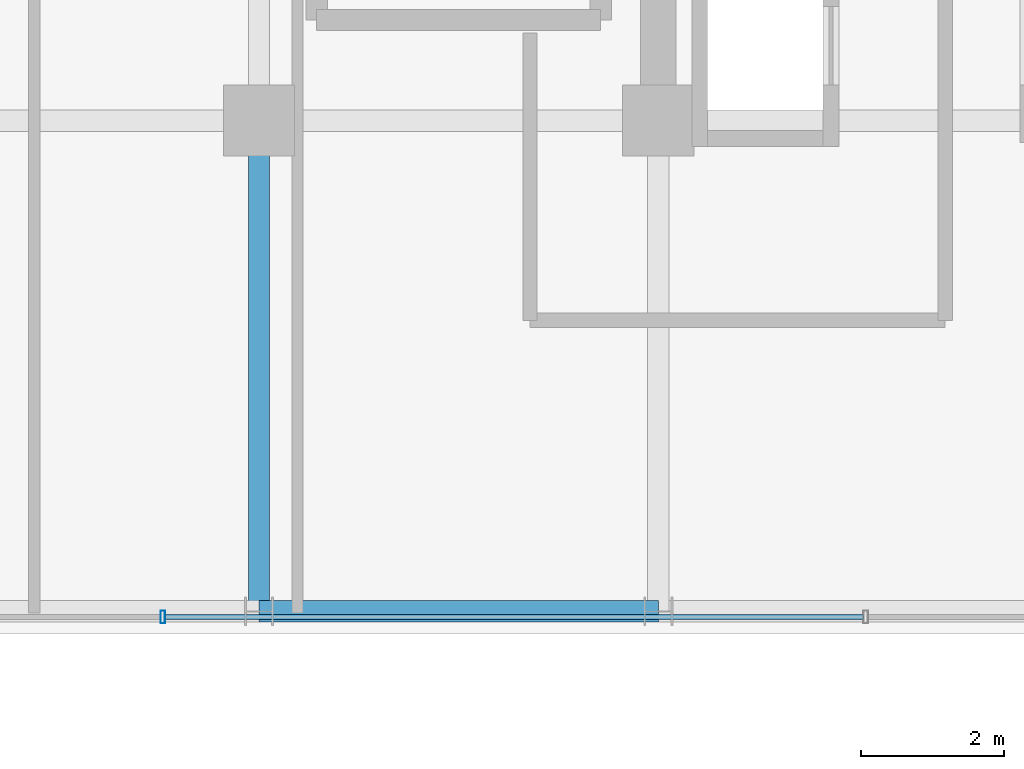
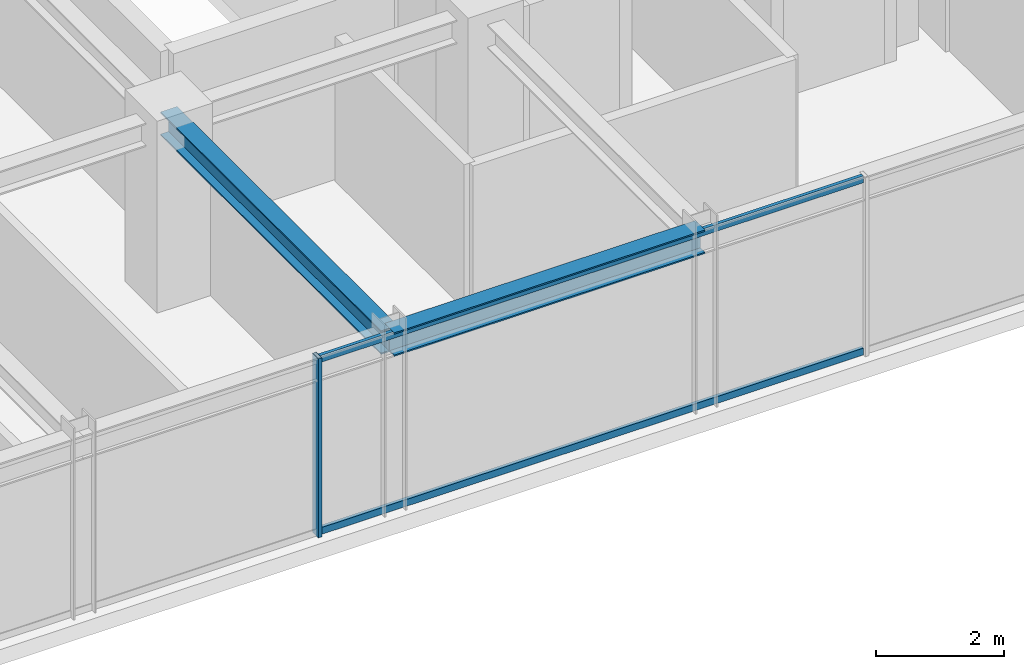
# One storey, part 6 of 34: 3 members, 2 beams, 1 element without a shape of its own.
"""IFC4 building model written with IfcOpenShell, lengths in metres."""

from ifc_helpers import new_model, si_unit, direction, frame, origin, origin_2d, place, context, subcontext, project, spatial, hollow_rectangle, i_section, extrude, source, transform, mapped, material, material_profile, profile_set, type_object, element, aggregate, save


model = new_model("IFC4")

# Units and contexts
model_context = context("Model", 3, precision=1e-05, world=origin(), true_north=direction((0.0, 1.0)))
body_context = subcontext(model_context, "Body", "Model", "MODEL_VIEW")
ifc_project = project(units=[si_unit("LENGTHUNIT", "METRE"), si_unit("AREAUNIT", "SQUARE_METRE"), si_unit("VOLUMEUNIT", "CUBIC_METRE"), si_unit("PLANEANGLEUNIT", "RADIAN"), si_unit("MASSUNIT", "GRAM", prefix="KILO")], contexts=[model_context])

# Site, building, storey
site_placement = place(None, origin())
site = spatial("IfcSite", under=ifc_project, at=site_placement, CompositionType="ELEMENT")
building_placement = place(site_placement, origin())
building = spatial("IfcBuilding", under=site, at=building_placement, Name="Nahalor Promenade Grand Hotel", CompositionType="ELEMENT")
storey_placement = place(building_placement, frame((0.0, 0.0, 238.199951171875)))
storey = spatial("IfcBuildingStorey", under=building, at=storey_placement, Name="L61", CompositionType="ELEMENT", Elevation=238.199951171875)

# Beams
ifc_material_1 = material(Name="Steel S355JR", Category="steel")
ifc_material_profile_1 = material_profile(ifc_material_1, i_section(OverallWidth=0.3, OverallDepth=0.45, WebThickness=0.014, FlangeThickness=0.026, at=origin_2d()), Name="HEB 450")
ifc_profile_set_1 = profile_set([ifc_material_profile_1], Name="Steel S355JR")
beam_type_1 = type_object("IfcBeamType", Name="Beam-Spandrel-HEB450", PredefinedType="SPANDREL", material=ifc_profile_set_1)
shared_shape_1 = source(origin(), body_context, "Body", "SweptSolid", [
    extrude(i_section(OverallWidth=0.3, OverallDepth=0.45, WebThickness=0.014, FlangeThickness=0.026, at=origin_2d()), origin(), (0.0, 0.0, 1.0), 5.599853515625),
])
beam_1_placement = place(storey_placement, frame((2.800048828125, -23.8798828125, 3.18505859375), z_axis=(1.0, 0.0, 0.0), x_axis=(0.0, 1.0, 0.0)))
element("IfcBeam", 1, at=beam_1_placement, inside=storey, type_object=beam_type_1, Name="BM-L61-SP-S-3", PredefinedType="SPANDREL", context=body_context, shape_type="MappedRepresentation", body=[
    mapped(shared_shape_1, transform((0.0, 0.0, 0.0), scale=1.0)),
])
ifc_material_profile_2 = material_profile(ifc_material_1, i_section(OverallWidth=0.3, OverallDepth=0.45, WebThickness=0.014, FlangeThickness=0.026, at=origin_2d()), Name="HEB 450")
ifc_profile_set_2 = profile_set([ifc_material_profile_2], Name="Steel S355JR")
beam_type_2 = type_object("IfcBeamType", Name="Beam-Girder-HEB450", PredefinedType="BEAM", material=ifc_profile_set_2)
shared_shape_2 = source(origin(), body_context, "Body", "SweptSolid", [
    extrude(i_section(OverallWidth=0.3, OverallDepth=0.45, WebThickness=0.014, FlangeThickness=0.026, at=origin_2d()), origin(), (0.0, 0.0, 1.0), 6.8798828125),
])
beam_2_placement = place(storey_placement, frame((2.800048828125, -23.8798828125, 3.18505859375), z_axis=(0.0, 1.0, 0.0), x_axis=(-1.0, 0.0, 0.0)))
element("IfcBeam", 2, at=beam_2_placement, inside=storey, type_object=beam_type_2, Name="BM-L61-GY-3-0", PredefinedType="BEAM", context=body_context, shape_type="MappedRepresentation", body=[
    mapped(shared_shape_2, transform((0.0, 0.0, 0.0), scale=1.0)),
])

# Curtain wall, members
ifc_material_2 = material(Name="Anodised Bronze Aluminium EN AW-6063 T6", Category="aluminium")
curtain_wall_type = type_object("IfcCurtainWallType", Name="CW2 Typical Hotel Flush Bronze Unitised Curtain Wall", PredefinedType="USERDEFINED", material=ifc_material_2)
curtain_wall_placement = place(storey_placement, origin())
curtain_wall = element("IfcCurtainWall", 3, at=curtain_wall_placement, inside=storey, type_object=curtain_wall_type, Name="L61 Curtain Wall CW-L61-S-3", ObjectType="UNITISED_CURTAIN_WALL", PredefinedType="USERDEFINED")
ifc_material_profile_3 = material_profile(ifc_material_2, hollow_rectangle(XDim=0.065, YDim=0.18, WallThickness=0.004, at=origin_2d()), Name="CWM 65x180x4")
ifc_profile_set_3 = profile_set([ifc_material_profile_3], Name="Anodised Bronze Aluminium EN AW-6063 T6")
member_type_1 = type_object("IfcMemberType", Name="CWM2 Typical Bronze Mullion 65x180", PredefinedType="MULLION", material=ifc_profile_set_3)
shared_shape_3 = source(origin(), body_context, "Body", "SweptSolid", [
    extrude(hollow_rectangle(XDim=0.065, YDim=0.18, WallThickness=0.004, at=origin_2d()), origin(), (0.0, 0.0, 1.0), 3.41015625),
])
member_1_placement = place(storey_placement, frame((1.453369140625, -23.9599609375, 0.0), z_axis=(0.0, 0.0, 1.0), x_axis=(1.0, 0.0, 0.0)))
member_1 = element("IfcMember", 4, at=member_1_placement, type_object=member_type_1, Name="CW-L61-S-3 Mullion 1", PredefinedType="MULLION", context=body_context, shape_type="MappedRepresentation", body=[
    mapped(shared_shape_3, transform((0.0, 0.0, 0.0), scale=1.0)),
])
ifc_material_profile_4 = material_profile(ifc_material_2, hollow_rectangle(XDim=0.065, YDim=0.13, WallThickness=0.004, at=origin_2d()), Name="CWT 65x130x4")
ifc_profile_set_4 = profile_set([ifc_material_profile_4], Name="Anodised Bronze Aluminium EN AW-6063 T6")
member_type_2 = type_object("IfcMemberType", Name="CWT2 Typical Bronze Transom 65x130", PredefinedType="USERDEFINED", material=ifc_profile_set_4)
shared_shape_4 = source(origin(), body_context, "Body", "SweptSolid", [
    extrude(hollow_rectangle(XDim=0.065, YDim=0.13, WallThickness=0.004, at=origin_2d()), origin(), (0.0, 0.0, 1.0), 9.788330078125),
])
member_2_placement = place(storey_placement, frame((1.48583984375, -23.9599609375, 0.06494140625), z_axis=(1.0, 0.0, 0.0), x_axis=(0.0, 1.0, 0.0)))
member_2 = element("IfcMember", 5, at=member_2_placement, type_object=member_type_2, Name="CW-L61-S-3 Transom 1-0", ObjectType="TRANSOM", PredefinedType="USERDEFINED", context=body_context, shape_type="MappedRepresentation", body=[
    mapped(shared_shape_4, transform((0.0, 0.0, 0.0), scale=1.0)),
])
member_3_placement = place(storey_placement, frame((1.48583984375, -23.9599609375, 3.344970703125), z_axis=(1.0, 0.0, 0.0), x_axis=(0.0, 1.0, 0.0)))
member_3 = element("IfcMember", 6, at=member_3_placement, type_object=member_type_2, Name="CW-L61-S-3 Transom 1-1", ObjectType="TRANSOM", PredefinedType="USERDEFINED", context=body_context, shape_type="MappedRepresentation", body=[
    mapped(shared_shape_4, transform((0.0, 0.0, 0.0), scale=1.0)),
])
aggregate(curtain_wall, [member_1, member_2, member_3])

save(model, "model.ifc")
